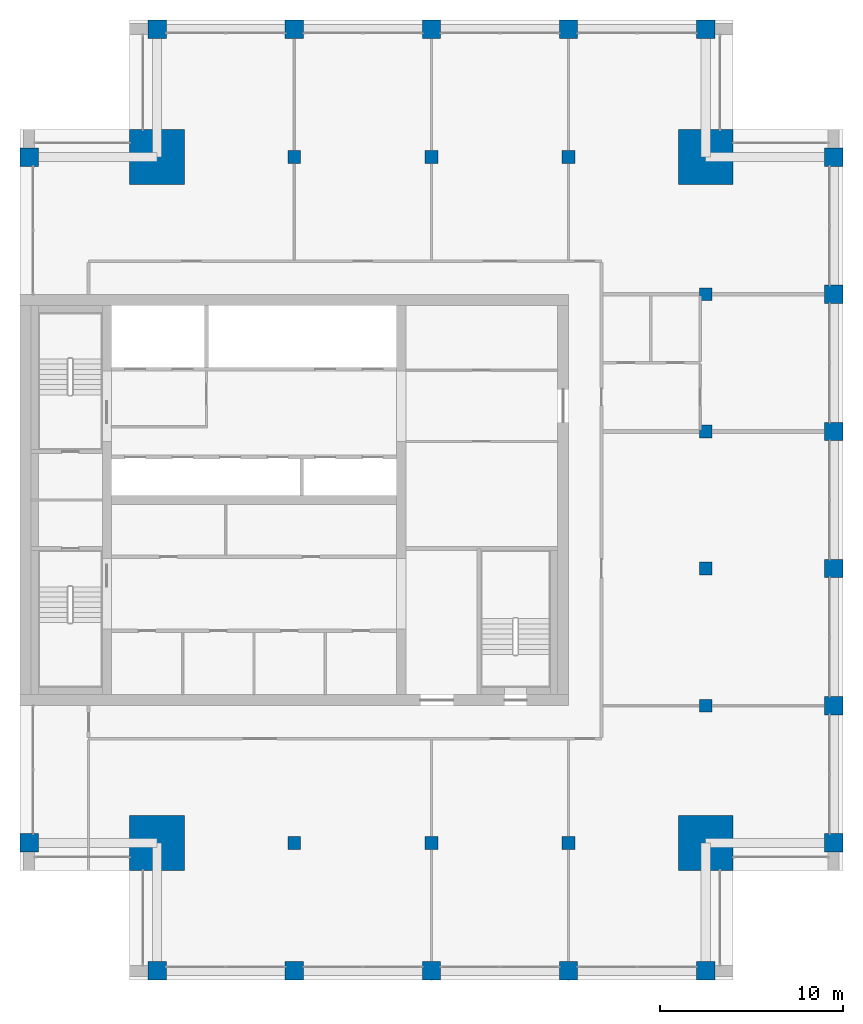
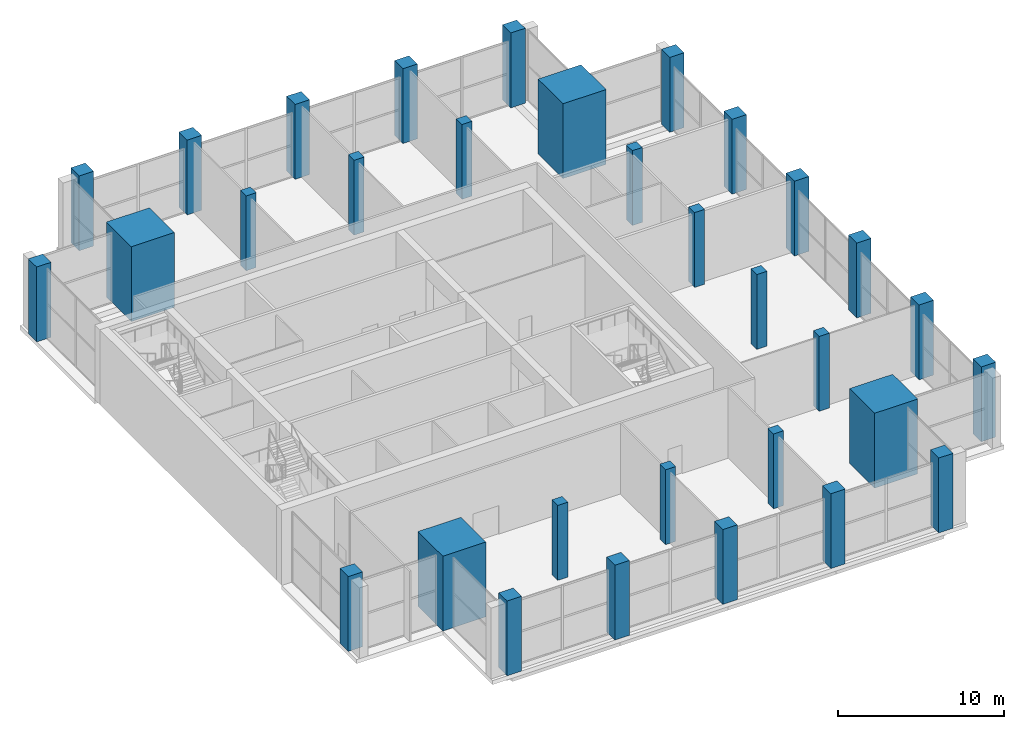
# One storey, part 1 of 15: 32 columns.
"""IFC4 building model written with IfcOpenShell, lengths in metres."""

from ifc_helpers import new_model, si_unit, direction, frame, origin, origin_2d, place, context, subcontext, project, spatial, rectangle, extrude, material, material_profile, profile_set, type_object, element, save


model = new_model("IFC4")

# Units and contexts
model_context = context("Model", 3, precision=1e-05, world=origin(), true_north=direction((0.0, 1.0)))
body_context = subcontext(model_context, "Body", "Model", "MODEL_VIEW")
ifc_project = project(units=[si_unit("LENGTHUNIT", "METRE"), si_unit("AREAUNIT", "SQUARE_METRE"), si_unit("VOLUMEUNIT", "CUBIC_METRE"), si_unit("PLANEANGLEUNIT", "RADIAN"), si_unit("MASSUNIT", "GRAM", prefix="KILO")], contexts=[model_context])

# Site, building, storey
site_placement = place(None, origin())
site = spatial("IfcSite", under=ifc_project, at=site_placement, CompositionType="ELEMENT")
building_placement = place(site_placement, origin())
building = spatial("IfcBuilding", under=site, at=building_placement, Name="Tamorin Gate", CompositionType="ELEMENT")
storey_placement = place(building_placement, frame((0.0, 0.0, 292.199951171875)))
storey = spatial("IfcBuildingStorey", under=building, at=storey_placement, Name="L73", CompositionType="ELEMENT", Elevation=292.199951171875)

# Columns
ifc_material = material(Name="Concrete C50/60", Category="concrete")
ifc_material_profile_1 = material_profile(ifc_material, rectangle(XDim=1.0, YDim=1.0, at=origin_2d()), Name="RC 1000x1000")
ifc_profile_set_1 = profile_set([ifc_material_profile_1], Name="Concrete C50/60")
column_type_1 = type_object("IfcColumnType", Name="RC column 1000x1000 C50/60", PredefinedType="COLUMN", material=ifc_profile_set_1)
for number, where, z_axis, x_axis, name in (
    (1, (30.5, 52.5, 0.0), (0.0, 0.0, 1.0), (1.0, 0.0, 0.0), "Ring column L73"),
    (2, (30.5, 90.0, 0.0), (0.0, 0.0, 1.0), (1.0, 0.0, 0.0), "Ring column L73"),
    (3, (37.5, 45.5, 0.0), (0.0, 0.0, 1.0), (1.0, 0.0, 0.0), "Ring column L73"),
    (4, (37.5, 97.0, 0.0), (0.0, 0.0, 1.0), (1.0, 0.0, 0.0), "Ring column L73"),
    (5, (45.0, 45.5, 0.0), (0.0, 0.0, 1.0), (1.0, 0.0, 0.0), "Ring column L73"),
    (6, (45.0, 97.0, 0.0), (0.0, 0.0, 1.0), (1.0, 0.0, 0.0), "Ring column L73"),
    (7, (52.5, 45.5, 0.0), (0.0, 0.0, 1.0), (1.0, 0.0, 0.0), "Ring column L73"),
    (8, (52.5, 97.0, 0.0), (0.0, 0.0, 1.0), (1.0, 0.0, 0.0), "Ring column L73"),
    (9, (60.0, 45.5, 0.0), (0.0, 0.0, 1.0), (1.0, 0.0, 0.0), "Ring column L73"),
    (10, (60.0, 97.0, 0.0), (0.0, 0.0, 1.0), (1.0, 0.0, 0.0), "Ring column L73"),
    (11, (67.5, 45.5, 0.0), (0.0, 0.0, 1.0), (1.0, 0.0, 0.0), "Ring column L73"),
    (12, (67.5, 97.0, 0.0), (0.0, 0.0, 1.0), (1.0, 0.0, 0.0), "Ring column L73"),
    (13, (74.5, 52.5, 0.0), (0.0, 0.0, 1.0), (1.0, 0.0, 0.0), "Ring column L73"),
    (14, (74.5, 60.0, 0.0), (0.0, 0.0, 1.0), (1.0, 0.0, 0.0), "Ring column L73"),
    (15, (74.5, 67.5, 0.0), (0.0, 0.0, 1.0), (1.0, 0.0, 0.0), "Ring column L73"),
    (16, (74.5, 75.0, 0.0), (0.0, 0.0, 1.0), (1.0, 0.0, 0.0), "Ring column L73"),
    (17, (74.5, 82.5, 0.0), (0.0, 0.0, 1.0), (1.0, 0.0, 0.0), "Ring column L73"),
    (18, (74.5, 90.0, 0.0), (0.0, 0.0, 1.0), (1.0, 0.0, 0.0), "Ring column L73"),
):
    element("IfcColumn", number, at=place(storey_placement, frame(where, z_axis=z_axis, x_axis=x_axis)), inside=storey, type_object=column_type_1, Name=name, PredefinedType="COLUMN", context=body_context, shape_type="SweptSolid", body=[
        extrude(rectangle(XDim=1.0, YDim=1.0, at=origin_2d()), origin(), (0.0, 0.0, 1.0), 5.5),
    ])
ifc_material_profile_2 = material_profile(ifc_material, rectangle(XDim=3.0, YDim=3.0, at=origin_2d()), Name="RC 3000x3000")
ifc_profile_set_2 = profile_set([ifc_material_profile_2], Name="Concrete C50/60")
column_type_2 = type_object("IfcColumnType", Name="RC column 3000x3000 C50/60", PredefinedType="COLUMN", material=ifc_profile_set_2)
for number, where, z_axis, x_axis, name in (
    (19, (37.5, 52.5, 0.0), (0.0, 0.0, 1.0), (1.0, 0.0, 0.0), "Mega column SW L73"),
    (20, (67.5, 52.5, 0.0), (0.0, 0.0, 1.0), (1.0, 0.0, 0.0), "Mega column SE L73"),
    (21, (37.5, 90.0, 0.0), (0.0, 0.0, 1.0), (1.0, 0.0, 0.0), "Mega column NW L73"),
    (22, (67.5, 90.0, 0.0), (0.0, 0.0, 1.0), (1.0, 0.0, 0.0), "Mega column NE L73"),
):
    element("IfcColumn", number, at=place(storey_placement, frame(where, z_axis=z_axis, x_axis=x_axis)), inside=storey, type_object=column_type_2, Name=name, PredefinedType="COLUMN", context=body_context, shape_type="SweptSolid", body=[
        extrude(rectangle(XDim=3.0, YDim=3.0, at=origin_2d()), origin(), (0.0, 0.0, 1.0), 5.5),
    ])
ifc_material_profile_3 = material_profile(ifc_material, rectangle(XDim=0.699951171875, YDim=0.699951171875, at=origin_2d()), Name="RC 700x700")
ifc_profile_set_3 = profile_set([ifc_material_profile_3], Name="Concrete C50/60")
column_type_3 = type_object("IfcColumnType", Name="RC column 700x700 C50/60", PredefinedType="COLUMN", material=ifc_profile_set_3)
for number, where, z_axis, x_axis, name in (
    (23, (45.0, 52.5, 0.0), (0.0, 0.0, 1.0), (1.0, 0.0, 0.0), "Interior column L73"),
    (24, (45.0, 90.0, 0.0), (0.0, 0.0, 1.0), (1.0, 0.0, 0.0), "Interior column L73"),
    (25, (52.5, 52.5, 0.0), (0.0, 0.0, 1.0), (1.0, 0.0, 0.0), "Interior column L73"),
    (26, (52.5, 90.0, 0.0), (0.0, 0.0, 1.0), (1.0, 0.0, 0.0), "Interior column L73"),
    (27, (60.0, 52.5, 0.0), (0.0, 0.0, 1.0), (1.0, 0.0, 0.0), "Interior column L73"),
    (28, (60.0, 90.0, 0.0), (0.0, 0.0, 1.0), (1.0, 0.0, 0.0), "Interior column L73"),
    (29, (67.5, 60.0, 0.0), (0.0, 0.0, 1.0), (1.0, 0.0, 0.0), "Interior column L73"),
    (30, (67.5, 67.5, 0.0), (0.0, 0.0, 1.0), (1.0, 0.0, 0.0), "Interior column L73"),
    (31, (67.5, 75.0, 0.0), (0.0, 0.0, 1.0), (1.0, 0.0, 0.0), "Interior column L73"),
    (32, (67.5, 82.5, 0.0), (0.0, 0.0, 1.0), (1.0, 0.0, 0.0), "Interior column L73"),
):
    element("IfcColumn", number, at=place(storey_placement, frame(where, z_axis=z_axis, x_axis=x_axis)), inside=storey, type_object=column_type_3, Name=name, PredefinedType="COLUMN", context=body_context, shape_type="SweptSolid", body=[
        extrude(rectangle(XDim=0.699951171875, YDim=0.699951171875, at=origin_2d()), origin(), (0.0, 0.0, 1.0), 5.5),
    ])

save(model, "model.ifc")
